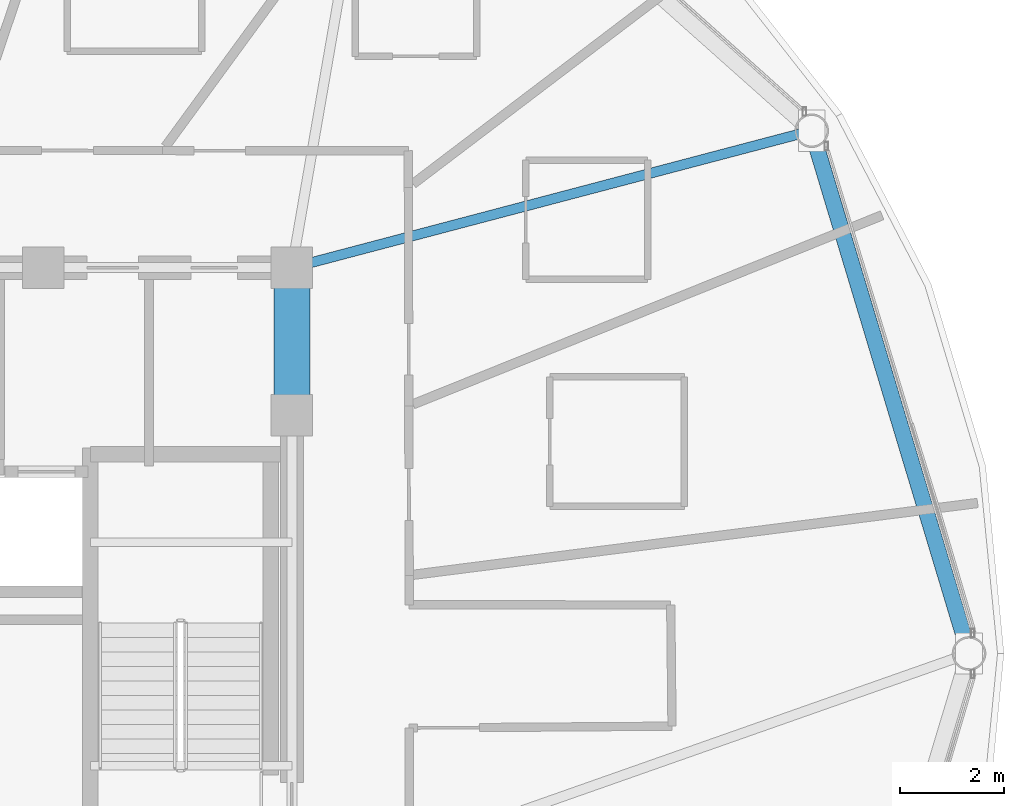
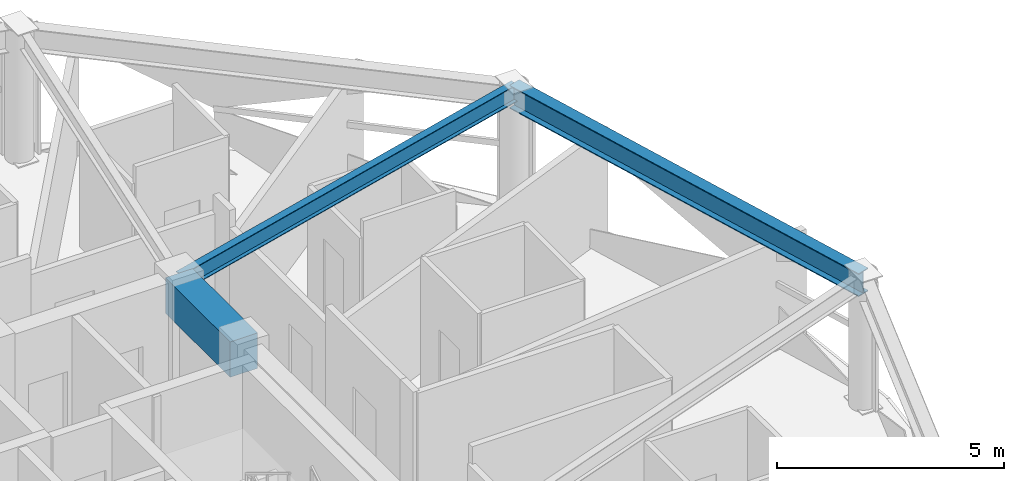
# One storey, part 15 of 30: 3 beams.
"""IFC4 building model written with IfcOpenShell, lengths in metres."""

from ifc_helpers import new_model, si_unit, direction, frame, origin, origin_2d, place, context, subcontext, project, spatial, rectangle, i_section, extrude, material, material_profile, profile_set, type_object, element, save


model = new_model("IFC4")

# Units and contexts
model_context = context("Model", 3, precision=1e-05, world=origin(), true_north=direction((0.0, 1.0)))
body_context = subcontext(model_context, "Body", "Model", "MODEL_VIEW")
ifc_project = project(units=[si_unit("LENGTHUNIT", "METRE"), si_unit("AREAUNIT", "SQUARE_METRE"), si_unit("VOLUMEUNIT", "CUBIC_METRE"), si_unit("PLANEANGLEUNIT", "RADIAN"), si_unit("MASSUNIT", "GRAM", prefix="KILO")], contexts=[model_context])

# Site, building, storey
site_placement = place(None, origin())
site = spatial("IfcSite", under=ifc_project, at=site_placement, CompositionType="ELEMENT")
building_placement = place(site_placement, origin())
building = spatial("IfcBuilding", under=site, at=building_placement, Name="Vantalir Tower", CompositionType="ELEMENT")
storey_placement = place(building_placement, frame((0.0, 0.0, 193.64990234375)))
storey = spatial("IfcBuildingStorey", under=building, at=storey_placement, Name="L48", CompositionType="ELEMENT", Elevation=193.64990234375)

# Beams
ifc_material_1 = material(Name="Concrete C60/75", Category="concrete")
ifc_material_profile_1 = material_profile(ifc_material_1, rectangle(XDim=0.699951171875, YDim=0.949951171875, at=origin_2d()), Name="Concrete C60/75")
ifc_profile_set_1 = profile_set([ifc_material_profile_1], Name="Concrete C60/75")
beam_type_1 = type_object("IfcBeamType", Name="BM-CB-700x950", PredefinedType="USERDEFINED", material=ifc_profile_set_1)
beam_1_placement = place(storey_placement, frame((41.10009765625, 29.60009765625, 3.09521484375), z_axis=(0.0, 1.0, 0.0), x_axis=(-1.0, 0.0, 0.0)))
element("IfcBeam", 1, at=beam_1_placement, inside=storey, type_object=beam_type_1, Name="L48 Core Coupling Girder 07", ObjectType="GIRDER", PredefinedType="USERDEFINED", context=body_context, shape_type="SweptSolid", body=[
    extrude(rectangle(XDim=0.699951171875, YDim=0.949951171875, at=origin_2d()), origin(), (0.0, 0.0, 1.0), 2.849853515625),
])
ifc_material_2 = material(Name="Steel S355", Category="steel")
ifc_material_profile_2 = material_profile(ifc_material_2, i_section(OverallWidth=0.19189453125, OverallDepth=0.462890625, WebThickness=0.010498046875, FlangeThickness=0.017578125, at=origin_2d()), Name="Steel S355")
ifc_profile_set_2 = profile_set([ifc_material_profile_2], Name="Steel S355")
beam_type_2 = type_object("IfcBeamType", Name="BM-RB-457x191", PredefinedType="BEAM", material=ifc_profile_set_2)
beam_2_placement = place(storey_placement, frame((51.137939453125, 35.093994140625, 3.338134765625), z_axis=(-0.967015102182, -0.254719045522, 0.0), x_axis=(0.254719045522, -0.967015102182, 0.0)))
element("IfcBeam", 2, at=beam_2_placement, inside=storey, type_object=beam_type_2, Name="L48 Radial Floor Beam 02", PredefinedType="BEAM", context=body_context, shape_type="SweptSolid", body=[
    extrude(i_section(OverallWidth=0.19189453125, OverallDepth=0.462890625, WebThickness=0.010498046875, FlangeThickness=0.017578125, at=origin_2d()), origin(), (0.0, 0.0, 1.0), 10.380126953125),
])
ifc_material_3 = material(Name="Steel S460", Category="steel")
ifc_material_profile_3 = material_profile(ifc_material_3, i_section(OverallWidth=0.306884765625, OverallDepth=0.6201171875, WebThickness=0.01416015625, FlangeThickness=0.023681640625, at=origin_2d()), Name="Steel S460")
ifc_profile_set_3 = profile_set([ifc_material_profile_3], Name="Steel S460")
beam_type_3 = type_object("IfcBeamType", Name="BM-RG-610x305", PredefinedType="USERDEFINED", material=ifc_profile_set_3)
beam_3_placement = place(storey_placement, frame((54.176025390625, 25.0, 3.260009765625), z_axis=(-0.288208317462, 0.957567734286, 0.0), x_axis=(-0.957567734286, -0.288208317462, 0.0)))
element("IfcBeam", 3, at=beam_3_placement, inside=storey, type_object=beam_type_3, Name="L48 Circumferential Ring Girder 01", ObjectType="GIRDER", PredefinedType="USERDEFINED", context=body_context, shape_type="SweptSolid", body=[
    extrude(i_section(OverallWidth=0.306884765625, OverallDepth=0.6201171875, WebThickness=0.01416015625, FlangeThickness=0.023681640625, at=origin_2d()), origin(), (0.0, 0.0, 1.0), 10.541259765625),
])

save(model, "model.ifc")
